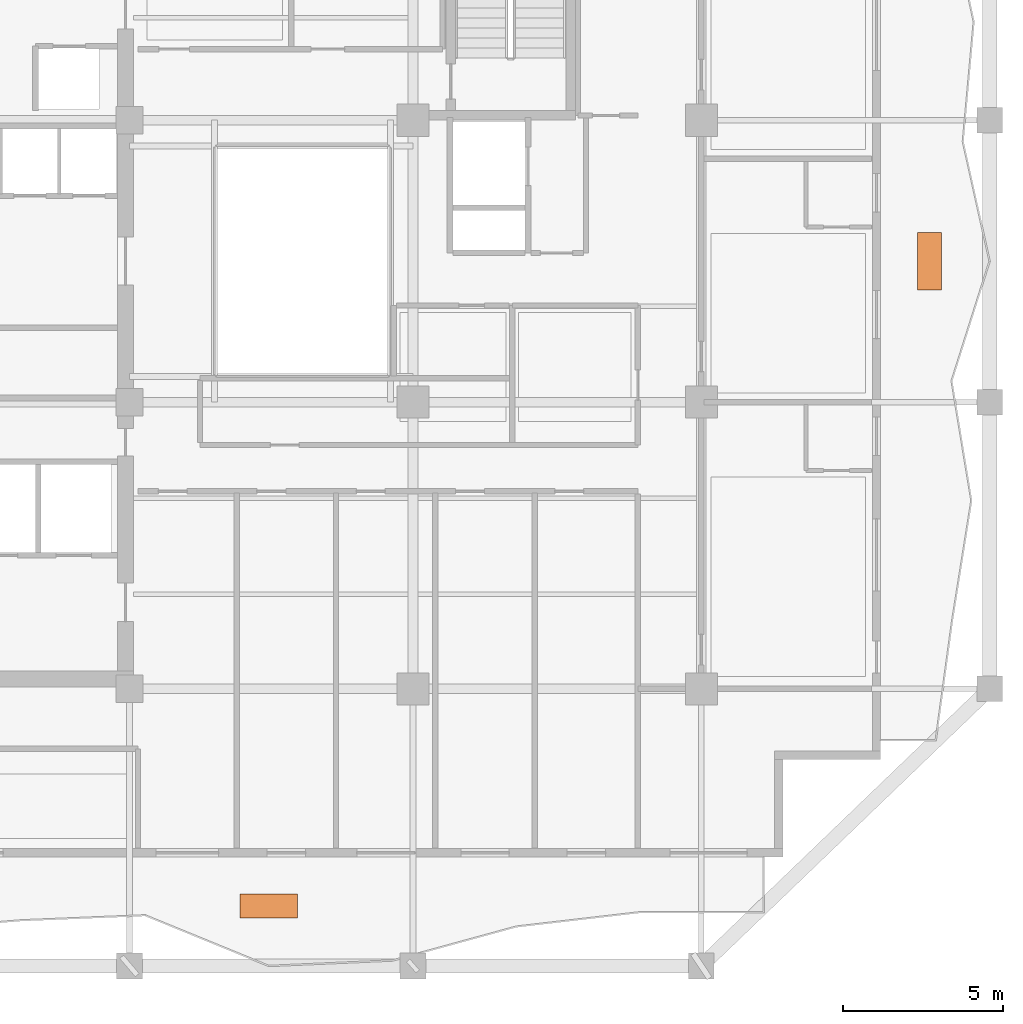
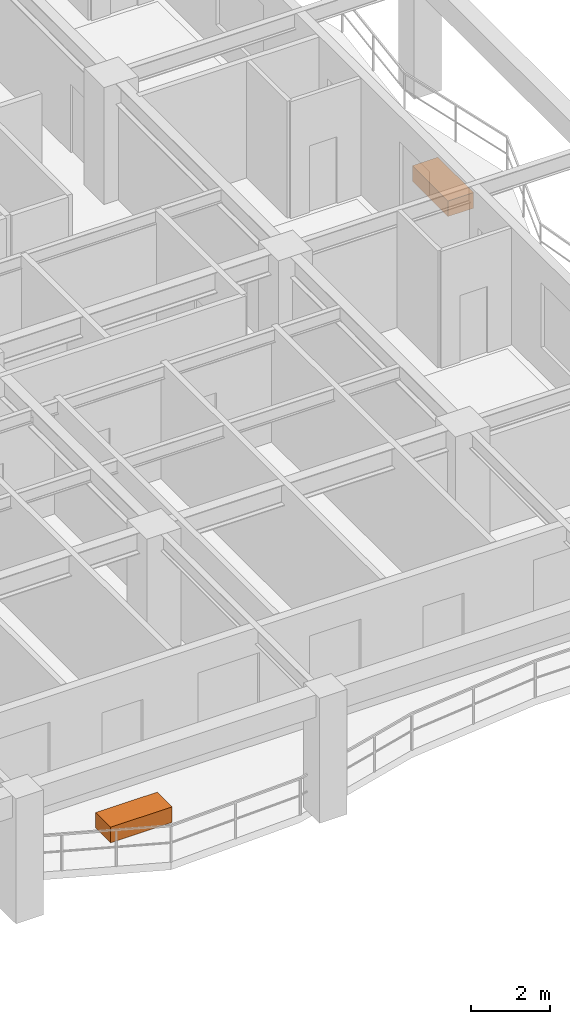
# One storey, part 10 of 10: 2 proxies.
"""IFC4 building model written with IfcOpenShell, lengths in metres."""

from ifc_helpers import new_model, si_unit, direction, frame, origin, origin_2d, place, context, subcontext, project, spatial, rectangle, extrude, material, type_object, element, save


model = new_model("IFC4")

# Units and contexts
model_context = context("Model", 3, precision=1e-05, world=origin(), true_north=direction((0.0, 1.0)))
body_context = subcontext(model_context, "Body", "Model", "MODEL_VIEW")
ifc_project = project(units=[si_unit("LENGTHUNIT", "METRE"), si_unit("AREAUNIT", "SQUARE_METRE"), si_unit("VOLUMEUNIT", "CUBIC_METRE"), si_unit("PLANEANGLEUNIT", "RADIAN"), si_unit("MASSUNIT", "GRAM", prefix="KILO")], contexts=[model_context])

# Site, building, storey
site_placement = place(None, origin())
site = spatial("IfcSite", under=ifc_project, at=site_placement, CompositionType="ELEMENT")
building_placement = place(site_placement, origin())
building = spatial("IfcBuilding", under=site, at=building_placement, Name="Kundavana Baori Tower", CompositionType="ELEMENT")
storey_placement = place(building_placement, frame((0.0, 0.0, 138.64990234375)))
storey = spatial("IfcBuildingStorey", under=building, at=storey_placement, Name="L33", CompositionType="ELEMENT", Elevation=138.64990234375)

# Proxies
ifc_material = material(Name="Red-Buff Dholpur Sandstone Cladding on Concrete C40/50", Category="masonry")
building_element_proxy_type = type_object("IfcBuildingElementProxyType", Name="PRX-PLANTER-1800", PredefinedType="USERDEFINED", material=ifc_material)
for number, where, z_axis, x_axis, name in (
    (1, (29.300048828125, 8.469970703125, 0.0), (0.0, 0.0, 1.0), (1.0, 0.0, 0.0), "L33 Dholpur Stone Structural Tree Planter S"),
    (2, (49.929931640625, 28.60009765625, 0.0), (0.0, 0.0, 1.0), (0.0, 1.0, 0.0), "L33 Dholpur Stone Structural Tree Planter E"),
):
    element("IfcBuildingElementProxy", number, at=place(storey_placement, frame(where, z_axis=z_axis, x_axis=x_axis)), inside=storey, type_object=building_element_proxy_type, Name=name, ObjectType="PLANTER", PredefinedType="USERDEFINED", context=body_context, shape_type="SweptSolid", body=[
        extrude(rectangle(XDim=1.800048828125, YDim=0.75, at=origin_2d()), origin(), (0.0, 0.0, 1.0), 0.47998046875),
    ])

save(model, "model.ifc")
